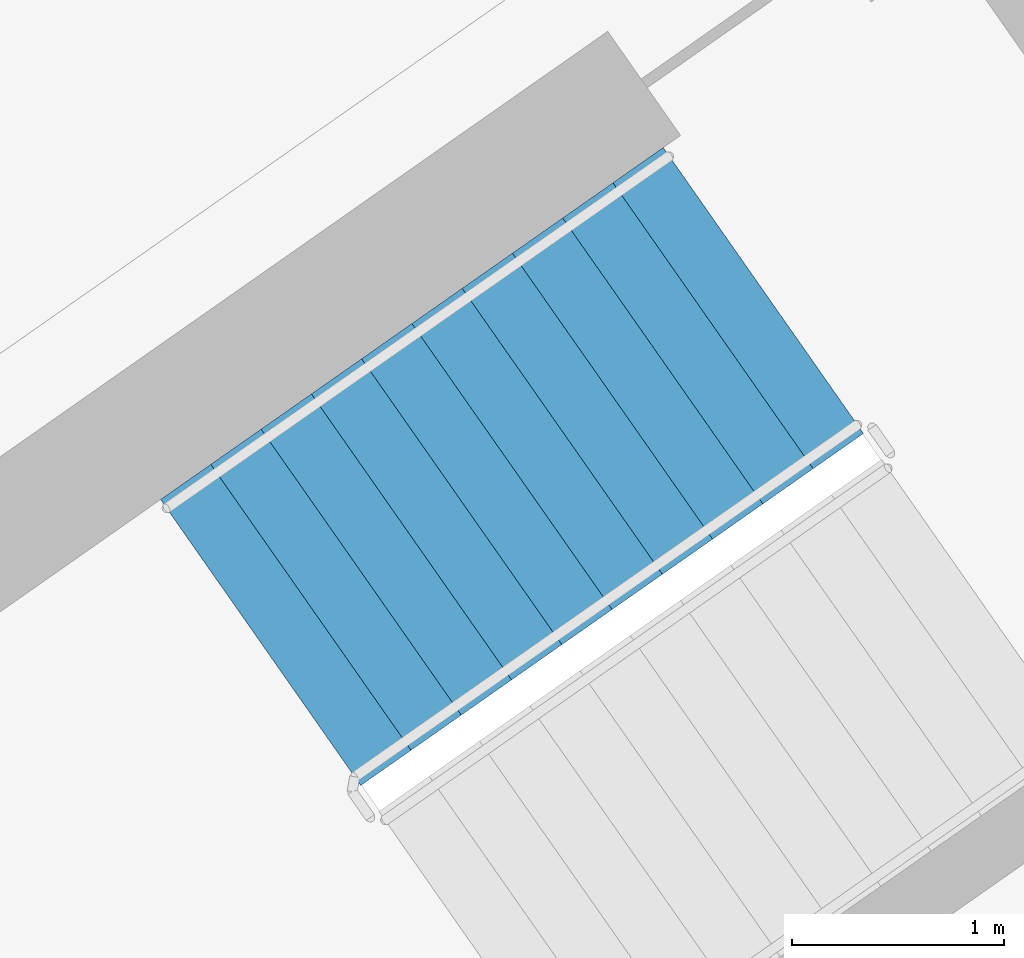
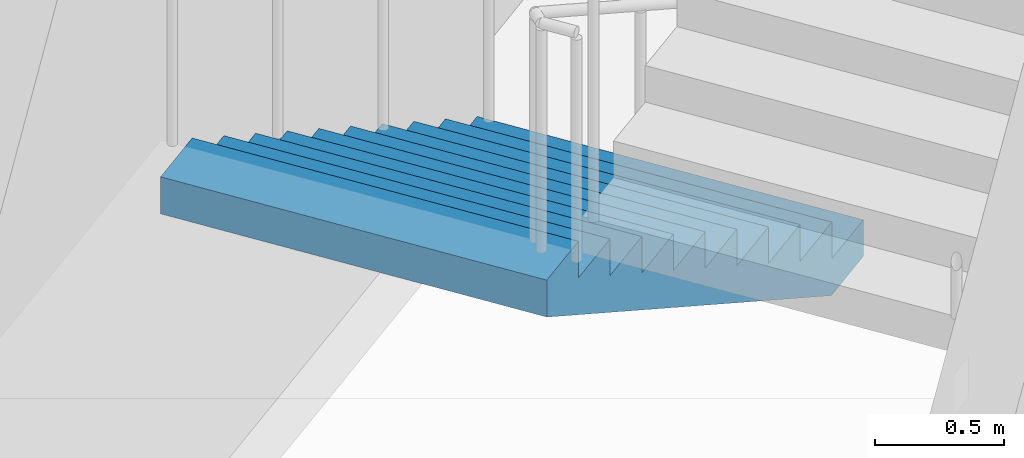
# One storey, part 16 of 26: 1 stair flight, 1 element without a shape of its own.
"""IFC4 building model written with IfcOpenShell, lengths in metres."""

from ifc_helpers import new_model, si_unit, direction, frame, origin, place, context, subcontext, project, spatial, faceted_brep, material, type_object, element, aggregate, save


model = new_model("IFC4")

# Units and contexts
model_context = context("Model", 3, precision=1e-05, world=origin(), true_north=direction((0.0, 1.0)))
body_context = subcontext(model_context, "Body", "Model", "MODEL_VIEW")
ifc_project = project(units=[si_unit("LENGTHUNIT", "METRE"), si_unit("AREAUNIT", "SQUARE_METRE"), si_unit("VOLUMEUNIT", "CUBIC_METRE"), si_unit("PLANEANGLEUNIT", "RADIAN"), si_unit("MASSUNIT", "GRAM", prefix="KILO")], contexts=[model_context])

# Site, building, storey
site_placement = place(None, origin())
site = spatial("IfcSite", under=ifc_project, at=site_placement, CompositionType="ELEMENT")
building_placement = place(site_placement, origin())
building = spatial("IfcBuilding", under=site, at=building_placement, Name="Qamariyya Broadcast Tower", CompositionType="ELEMENT")
storey_placement = place(building_placement, frame((0.0, 0.0, 156.89990234375)))
storey = spatial("IfcBuildingStorey", under=building, at=storey_placement, Name="L36", CompositionType="ELEMENT", Elevation=156.89990234375)

# Stair, stair flight
ifc_material = material(Name="Concrete C50/60", Category="concrete")
stair_type = type_object("IfcStairType", Name="Exit stair 22 risers of 173 mm", PredefinedType="HALF_TURN_STAIR", material=ifc_material)
stair_placement = place(storey_placement, origin())
stair = element("IfcStair", 1, at=stair_placement, inside=storey, type_object=stair_type, Name="L36 Stair E2", PredefinedType="HALF_TURN_STAIR")
stair_flight_type = type_object("IfcStairFlightType", Name="Exit stair flight 11 risers of 173 mm", PredefinedType="STRAIGHT", material=ifc_material)
stair_flight_placement = place(storey_placement, frame((40.558837890625, -47.685302734375, 0.0), z_axis=(0.0, 0.0, 1.0), x_axis=(-0.819152044289, -0.573576436351, 0.0)))
stair_flight = element("IfcStairFlight", 2, at=stair_flight_placement, type_object=stair_flight_type, Name="ST-E2 flight 1", NumberOfRisers=11, NumberOfTreads=10, PredefinedType="STRAIGHT", RiserHeight=0.172727273, TreadLength=0.29, context=body_context, shape_type="Brep", body=[
    faceted_brep([(0.0, 0.824951171875, 0.0), (0.0, 0.824951171875, 0.172607421875), (0.2900390625, 0.824951171875, 0.172607421875), (0.2900390625, 0.824951171875, 0.345458984375), (0.580078125, 0.824951171875, 0.345458984375), (0.580078125, 0.824951171875, 0.51806640625), (0.8701171875, 0.824951171875, 0.51806640625), (0.8701171875, 0.824951171875, 0.69091796875), (1.159912109375, 0.824951171875, 0.69091796875), (1.159912109375, 0.824951171875, 0.863525390625), (1.449951171875, 0.824951171875, 0.863525390625), (1.449951171875, 0.824951171875, 1.036376953125), (1.739990234375, 0.824951171875, 1.036376953125), (1.739990234375, 0.824951171875, 1.208984375), (2.030029296875, 0.824951171875, 1.208984375), (2.030029296875, 0.824951171875, 1.3818359375), (2.320068359375, 0.824951171875, 1.3818359375), (2.320068359375, 0.824951171875, 1.554443359375), (2.610107421875, 0.824951171875, 1.554443359375), (2.610107421875, 0.824951171875, 1.727294921875), (2.89990234375, 0.824951171875, 1.727294921875), (2.89990234375, 0.824951171875, 1.552734375), (0.29296875, 0.824951171875, 0.0), (0.29296875, -0.824951171875, 0.0), (2.89990234375, -0.824951171875, 1.552734375), (2.89990234375, -0.824951171875, 1.727294921875), (2.610107421875, -0.824951171875, 1.727294921875), (2.610107421875, -0.824951171875, 1.554443359375), (2.320068359375, -0.824951171875, 1.554443359375), (2.320068359375, -0.824951171875, 1.3818359375), (2.030029296875, -0.824951171875, 1.3818359375), (2.030029296875, -0.824951171875, 1.208984375), (1.739990234375, -0.824951171875, 1.208984375), (1.739990234375, -0.824951171875, 1.036376953125), (1.449951171875, -0.824951171875, 1.036376953125), (1.449951171875, -0.824951171875, 0.863525390625), (1.159912109375, -0.824951171875, 0.863525390625), (1.159912109375, -0.824951171875, 0.69091796875), (0.8701171875, -0.824951171875, 0.69091796875), (0.8701171875, -0.824951171875, 0.51806640625), (0.580078125, -0.824951171875, 0.51806640625), (0.580078125, -0.824951171875, 0.345458984375), (0.2900390625, -0.824951171875, 0.345458984375), (0.2900390625, -0.824951171875, 0.172607421875), (0.0, -0.824951171875, 0.172607421875), (0.0, -0.824951171875, 0.0), (0.0, 0.10009765625, 0.0), (0.0, 0.086669921875, 0.0), (0.0, 0.0732421875, 0.0), (0.0, 0.06005859375, 0.0), (0.0, 0.046630859375, 0.0), (0.0, 0.033447265625, 0.0), (0.0, 0.02001953125, 0.0), (0.0, 0.006591796875, 0.0), (0.0, -0.006591796875, 0.0), (0.0, -0.02001953125, 0.0), (0.0, -0.033447265625, 0.0), (0.0, -0.046630859375, 0.0), (0.0, -0.06005859375, 0.0), (0.0, -0.0732421875, 0.0), (0.0, -0.086669921875, 0.0), (0.0, -0.10009765625, 0.0), (0.0, -0.10009765625, 0.172607421875), (0.0, -0.086669921875, 0.172607421875), (0.0, -0.0732421875, 0.172607421875), (0.0, -0.06005859375, 0.172607421875), (0.0, -0.046630859375, 0.172607421875), (0.0, -0.033447265625, 0.172607421875), (0.0, -0.02001953125, 0.172607421875), (0.0, -0.006591796875, 0.172607421875), (0.0, 0.006591796875, 0.172607421875), (0.0, 0.02001953125, 0.172607421875), (0.0, 0.033447265625, 0.172607421875), (0.0, 0.046630859375, 0.172607421875), (0.0, 0.06005859375, 0.172607421875), (0.0, 0.0732421875, 0.172607421875), (0.0, 0.086669921875, 0.172607421875), (0.0, 0.10009765625, 0.172607421875), (0.2900390625, -0.10009765625, 0.172607421875), (0.2900390625, -0.086669921875, 0.172607421875), (0.2900390625, -0.0732421875, 0.172607421875), (0.2900390625, -0.06005859375, 0.172607421875), (0.2900390625, -0.046630859375, 0.172607421875), (0.2900390625, -0.033447265625, 0.172607421875), (0.2900390625, -0.02001953125, 0.172607421875), (0.2900390625, -0.006591796875, 0.172607421875), (0.2900390625, 0.006591796875, 0.172607421875), (0.2900390625, 0.02001953125, 0.172607421875), (0.2900390625, 0.033447265625, 0.172607421875), (0.2900390625, 0.046630859375, 0.172607421875), (0.2900390625, 0.06005859375, 0.172607421875), (0.2900390625, 0.0732421875, 0.172607421875), (0.2900390625, 0.086669921875, 0.172607421875), (0.2900390625, 0.10009765625, 0.172607421875), (0.2900390625, -0.10009765625, 0.345458984375), (0.2900390625, -0.086669921875, 0.345458984375), (0.2900390625, -0.0732421875, 0.345458984375), (0.2900390625, -0.06005859375, 0.345458984375), (0.2900390625, -0.046630859375, 0.345458984375), (0.2900390625, -0.033447265625, 0.345458984375), (0.2900390625, -0.02001953125, 0.345458984375), (0.2900390625, -0.006591796875, 0.345458984375), (0.2900390625, 0.006591796875, 0.345458984375), (0.2900390625, 0.02001953125, 0.345458984375), (0.2900390625, 0.033447265625, 0.345458984375), (0.2900390625, 0.046630859375, 0.345458984375), (0.2900390625, 0.06005859375, 0.345458984375), (0.2900390625, 0.0732421875, 0.345458984375), (0.2900390625, 0.086669921875, 0.345458984375), (0.2900390625, 0.10009765625, 0.345458984375), (0.580078125, -0.10009765625, 0.345458984375), (0.580078125, -0.086669921875, 0.345458984375), (0.580078125, -0.0732421875, 0.345458984375), (0.580078125, -0.06005859375, 0.345458984375), (0.580078125, -0.046630859375, 0.345458984375), (0.580078125, -0.033447265625, 0.345458984375), (0.580078125, -0.02001953125, 0.345458984375), (0.580078125, -0.006591796875, 0.345458984375), (0.580078125, 0.006591796875, 0.345458984375), (0.580078125, 0.02001953125, 0.345458984375), (0.580078125, 0.033447265625, 0.345458984375), (0.580078125, 0.046630859375, 0.345458984375), (0.580078125, 0.06005859375, 0.345458984375), (0.580078125, 0.0732421875, 0.345458984375), (0.580078125, 0.086669921875, 0.345458984375), (0.580078125, 0.10009765625, 0.345458984375), (0.580078125, -0.10009765625, 0.51806640625), (0.580078125, -0.086669921875, 0.51806640625), (0.580078125, -0.0732421875, 0.51806640625), (0.580078125, -0.06005859375, 0.51806640625), (0.580078125, -0.046630859375, 0.51806640625), (0.580078125, -0.033447265625, 0.51806640625), (0.580078125, -0.02001953125, 0.51806640625), (0.580078125, -0.006591796875, 0.51806640625), (0.580078125, 0.006591796875, 0.51806640625), (0.580078125, 0.02001953125, 0.51806640625), (0.580078125, 0.033447265625, 0.51806640625), (0.580078125, 0.046630859375, 0.51806640625), (0.580078125, 0.06005859375, 0.51806640625), (0.580078125, 0.0732421875, 0.51806640625), (0.580078125, 0.086669921875, 0.51806640625), (0.580078125, 0.10009765625, 0.51806640625), (0.8701171875, -0.10009765625, 0.51806640625), (0.8701171875, -0.086669921875, 0.51806640625), (0.8701171875, -0.0732421875, 0.51806640625), (0.8701171875, -0.06005859375, 0.51806640625), (0.8701171875, -0.046630859375, 0.51806640625), (0.8701171875, -0.033447265625, 0.51806640625), (0.8701171875, -0.02001953125, 0.51806640625), (0.8701171875, -0.006591796875, 0.51806640625), (0.8701171875, 0.006591796875, 0.51806640625), (0.8701171875, 0.02001953125, 0.51806640625), (0.8701171875, 0.033447265625, 0.51806640625), (0.8701171875, 0.046630859375, 0.51806640625), (0.8701171875, 0.06005859375, 0.51806640625), (0.8701171875, 0.0732421875, 0.51806640625), (0.8701171875, 0.086669921875, 0.51806640625), (0.8701171875, 0.10009765625, 0.51806640625), (0.8701171875, -0.10009765625, 0.69091796875), (0.8701171875, -0.086669921875, 0.69091796875), (0.8701171875, -0.0732421875, 0.69091796875), (0.8701171875, -0.06005859375, 0.69091796875), (0.8701171875, -0.046630859375, 0.69091796875), (0.8701171875, -0.033447265625, 0.69091796875), (0.8701171875, -0.02001953125, 0.69091796875), (0.8701171875, -0.006591796875, 0.69091796875), (0.8701171875, 0.006591796875, 0.69091796875), (0.8701171875, 0.02001953125, 0.69091796875), (0.8701171875, 0.033447265625, 0.69091796875), (0.8701171875, 0.046630859375, 0.69091796875), (0.8701171875, 0.06005859375, 0.69091796875), (0.8701171875, 0.0732421875, 0.69091796875), (0.8701171875, 0.086669921875, 0.69091796875), (0.8701171875, 0.10009765625, 0.69091796875), (1.159912109375, -0.10009765625, 0.69091796875), (1.159912109375, -0.086669921875, 0.69091796875), (1.159912109375, -0.0732421875, 0.69091796875), (1.159912109375, -0.06005859375, 0.69091796875), (1.159912109375, -0.046630859375, 0.69091796875), (1.159912109375, -0.033447265625, 0.69091796875), (1.159912109375, -0.02001953125, 0.69091796875), (1.159912109375, -0.006591796875, 0.69091796875), (1.159912109375, 0.006591796875, 0.69091796875), (1.159912109375, 0.02001953125, 0.69091796875), (1.159912109375, 0.033447265625, 0.69091796875), (1.159912109375, 0.046630859375, 0.69091796875), (1.159912109375, 0.06005859375, 0.69091796875), (1.159912109375, 0.0732421875, 0.69091796875), (1.159912109375, 0.086669921875, 0.69091796875), (1.159912109375, 0.10009765625, 0.69091796875), (1.159912109375, -0.10009765625, 0.863525390625), (1.159912109375, -0.086669921875, 0.863525390625), (1.159912109375, -0.0732421875, 0.863525390625), (1.159912109375, -0.06005859375, 0.863525390625), (1.159912109375, -0.046630859375, 0.863525390625), (1.159912109375, -0.033447265625, 0.863525390625), (1.159912109375, -0.02001953125, 0.863525390625), (1.159912109375, -0.006591796875, 0.863525390625), (1.159912109375, 0.006591796875, 0.863525390625), (1.159912109375, 0.02001953125, 0.863525390625), (1.159912109375, 0.033447265625, 0.863525390625), (1.159912109375, 0.046630859375, 0.863525390625), (1.159912109375, 0.06005859375, 0.863525390625), (1.159912109375, 0.0732421875, 0.863525390625), (1.159912109375, 0.086669921875, 0.863525390625), (1.159912109375, 0.10009765625, 0.863525390625), (1.449951171875, -0.10009765625, 0.863525390625), (1.449951171875, -0.086669921875, 0.863525390625), (1.449951171875, -0.0732421875, 0.863525390625), (1.449951171875, -0.06005859375, 0.863525390625), (1.449951171875, -0.046630859375, 0.863525390625), (1.449951171875, -0.033447265625, 0.863525390625), (1.449951171875, -0.02001953125, 0.863525390625), (1.449951171875, -0.006591796875, 0.863525390625), (1.449951171875, 0.006591796875, 0.863525390625), (1.449951171875, 0.02001953125, 0.863525390625), (1.449951171875, 0.033447265625, 0.863525390625), (1.449951171875, 0.046630859375, 0.863525390625), (1.449951171875, 0.06005859375, 0.863525390625), (1.449951171875, 0.0732421875, 0.863525390625), (1.449951171875, 0.086669921875, 0.863525390625), (1.449951171875, 0.10009765625, 0.863525390625), (1.449951171875, -0.10009765625, 1.036376953125), (1.449951171875, -0.086669921875, 1.036376953125), (1.449951171875, -0.0732421875, 1.036376953125), (1.449951171875, -0.06005859375, 1.036376953125), (1.449951171875, -0.046630859375, 1.036376953125), (1.449951171875, -0.033447265625, 1.036376953125), (1.449951171875, -0.02001953125, 1.036376953125), (1.449951171875, -0.006591796875, 1.036376953125), (1.449951171875, 0.006591796875, 1.036376953125), (1.449951171875, 0.02001953125, 1.036376953125), (1.449951171875, 0.033447265625, 1.036376953125), (1.449951171875, 0.046630859375, 1.036376953125), (1.449951171875, 0.06005859375, 1.036376953125), (1.449951171875, 0.0732421875, 1.036376953125), (1.449951171875, 0.086669921875, 1.036376953125), (1.449951171875, 0.10009765625, 1.036376953125), (1.739990234375, -0.10009765625, 1.036376953125), (1.739990234375, -0.086669921875, 1.036376953125), (1.739990234375, -0.0732421875, 1.036376953125), (1.739990234375, -0.06005859375, 1.036376953125), (1.739990234375, -0.046630859375, 1.036376953125), (1.739990234375, -0.033447265625, 1.036376953125), (1.739990234375, -0.02001953125, 1.036376953125), (1.739990234375, -0.006591796875, 1.036376953125), (1.739990234375, 0.006591796875, 1.036376953125), (1.739990234375, 0.02001953125, 1.036376953125), (1.739990234375, 0.033447265625, 1.036376953125), (1.739990234375, 0.046630859375, 1.036376953125), (1.739990234375, 0.06005859375, 1.036376953125), (1.739990234375, 0.0732421875, 1.036376953125), (1.739990234375, 0.086669921875, 1.036376953125), (1.739990234375, 0.10009765625, 1.036376953125), (1.739990234375, -0.10009765625, 1.208984375), (1.739990234375, -0.086669921875, 1.208984375), (1.739990234375, -0.0732421875, 1.208984375), (1.739990234375, -0.06005859375, 1.208984375), (1.739990234375, -0.046630859375, 1.208984375), (1.739990234375, -0.033447265625, 1.208984375), (1.739990234375, -0.02001953125, 1.208984375), (1.739990234375, -0.006591796875, 1.208984375), (1.739990234375, 0.006591796875, 1.208984375), (1.739990234375, 0.02001953125, 1.208984375), (1.739990234375, 0.033447265625, 1.208984375), (1.739990234375, 0.046630859375, 1.208984375), (1.739990234375, 0.06005859375, 1.208984375), (1.739990234375, 0.0732421875, 1.208984375), (1.739990234375, 0.086669921875, 1.208984375), (1.739990234375, 0.10009765625, 1.208984375), (2.030029296875, -0.10009765625, 1.208984375), (2.030029296875, -0.086669921875, 1.208984375), (2.030029296875, -0.0732421875, 1.208984375), (2.030029296875, -0.06005859375, 1.208984375), (2.030029296875, -0.046630859375, 1.208984375), (2.030029296875, -0.033447265625, 1.208984375), (2.030029296875, -0.02001953125, 1.208984375), (2.030029296875, -0.006591796875, 1.208984375), (2.030029296875, 0.006591796875, 1.208984375), (2.030029296875, 0.02001953125, 1.208984375), (2.030029296875, 0.033447265625, 1.208984375), (2.030029296875, 0.046630859375, 1.208984375), (2.030029296875, 0.06005859375, 1.208984375), (2.030029296875, 0.0732421875, 1.208984375), (2.030029296875, 0.086669921875, 1.208984375), (2.030029296875, 0.10009765625, 1.208984375), (2.030029296875, -0.10009765625, 1.3818359375), (2.030029296875, -0.086669921875, 1.3818359375), (2.030029296875, -0.0732421875, 1.3818359375), (2.030029296875, -0.06005859375, 1.3818359375), (2.030029296875, -0.046630859375, 1.3818359375), (2.030029296875, -0.033447265625, 1.3818359375), (2.030029296875, -0.02001953125, 1.3818359375), (2.030029296875, -0.006591796875, 1.3818359375), (2.030029296875, 0.006591796875, 1.3818359375), (2.030029296875, 0.02001953125, 1.3818359375), (2.030029296875, 0.033447265625, 1.3818359375), (2.030029296875, 0.046630859375, 1.3818359375), (2.030029296875, 0.06005859375, 1.3818359375), (2.030029296875, 0.0732421875, 1.3818359375), (2.030029296875, 0.086669921875, 1.3818359375), (2.030029296875, 0.10009765625, 1.3818359375), (2.320068359375, -0.10009765625, 1.3818359375), (2.320068359375, -0.086669921875, 1.3818359375), (2.320068359375, -0.0732421875, 1.3818359375), (2.320068359375, -0.06005859375, 1.3818359375), (2.320068359375, -0.046630859375, 1.3818359375), (2.320068359375, -0.033447265625, 1.3818359375), (2.320068359375, -0.02001953125, 1.3818359375), (2.320068359375, -0.006591796875, 1.3818359375), (2.320068359375, 0.006591796875, 1.3818359375), (2.320068359375, 0.02001953125, 1.3818359375), (2.320068359375, 0.033447265625, 1.3818359375), (2.320068359375, 0.046630859375, 1.3818359375), (2.320068359375, 0.06005859375, 1.3818359375), (2.320068359375, 0.0732421875, 1.3818359375), (2.320068359375, 0.086669921875, 1.3818359375), (2.320068359375, 0.10009765625, 1.3818359375), (2.320068359375, -0.10009765625, 1.554443359375), (2.320068359375, -0.086669921875, 1.554443359375), (2.320068359375, -0.0732421875, 1.554443359375), (2.320068359375, -0.06005859375, 1.554443359375), (2.320068359375, -0.046630859375, 1.554443359375), (2.320068359375, -0.033447265625, 1.554443359375), (2.320068359375, -0.02001953125, 1.554443359375), (2.320068359375, -0.006591796875, 1.554443359375), (2.320068359375, 0.006591796875, 1.554443359375), (2.320068359375, 0.02001953125, 1.554443359375), (2.320068359375, 0.033447265625, 1.554443359375), (2.320068359375, 0.046630859375, 1.554443359375), (2.320068359375, 0.06005859375, 1.554443359375), (2.320068359375, 0.0732421875, 1.554443359375), (2.320068359375, 0.086669921875, 1.554443359375), (2.320068359375, 0.10009765625, 1.554443359375), (2.610107421875, -0.10009765625, 1.554443359375), (2.610107421875, -0.086669921875, 1.554443359375), (2.610107421875, -0.0732421875, 1.554443359375), (2.610107421875, -0.06005859375, 1.554443359375), (2.610107421875, -0.046630859375, 1.554443359375), (2.610107421875, -0.033447265625, 1.554443359375), (2.610107421875, -0.02001953125, 1.554443359375), (2.610107421875, -0.006591796875, 1.554443359375), (2.610107421875, 0.006591796875, 1.554443359375), (2.610107421875, 0.02001953125, 1.554443359375), (2.610107421875, 0.033447265625, 1.554443359375), (2.610107421875, 0.046630859375, 1.554443359375), (2.610107421875, 0.06005859375, 1.554443359375), (2.610107421875, 0.0732421875, 1.554443359375), (2.610107421875, 0.086669921875, 1.554443359375), (2.610107421875, 0.10009765625, 1.554443359375), (2.610107421875, -0.10009765625, 1.727294921875), (2.610107421875, -0.086669921875, 1.727294921875), (2.610107421875, -0.0732421875, 1.727294921875), (2.610107421875, -0.06005859375, 1.727294921875), (2.610107421875, -0.046630859375, 1.727294921875), (2.610107421875, -0.033447265625, 1.727294921875), (2.610107421875, -0.02001953125, 1.727294921875), (2.610107421875, -0.006591796875, 1.727294921875), (2.610107421875, 0.006591796875, 1.727294921875), (2.610107421875, 0.02001953125, 1.727294921875), (2.610107421875, 0.033447265625, 1.727294921875), (2.610107421875, 0.046630859375, 1.727294921875), (2.610107421875, 0.06005859375, 1.727294921875), (2.610107421875, 0.0732421875, 1.727294921875), (2.610107421875, 0.086669921875, 1.727294921875), (2.610107421875, 0.10009765625, 1.727294921875), (2.89990234375, -0.10009765625, 1.727294921875), (2.89990234375, -0.086669921875, 1.727294921875), (2.89990234375, -0.0732421875, 1.727294921875), (2.89990234375, -0.06005859375, 1.727294921875), (2.89990234375, -0.046630859375, 1.727294921875), (2.89990234375, -0.033447265625, 1.727294921875), (2.89990234375, -0.02001953125, 1.727294921875), (2.89990234375, -0.006591796875, 1.727294921875), (2.89990234375, 0.006591796875, 1.727294921875), (2.89990234375, 0.02001953125, 1.727294921875), (2.89990234375, 0.033447265625, 1.727294921875), (2.89990234375, 0.046630859375, 1.727294921875), (2.89990234375, 0.06005859375, 1.727294921875), (2.89990234375, 0.0732421875, 1.727294921875), (2.89990234375, 0.086669921875, 1.727294921875), (2.89990234375, 0.10009765625, 1.727294921875), (2.89990234375, -0.10009765625, 1.552734375), (2.89990234375, -0.086669921875, 1.552734375), (2.89990234375, -0.0732421875, 1.552734375), (2.89990234375, -0.06005859375, 1.552734375), (2.89990234375, -0.046630859375, 1.552734375), (2.89990234375, -0.033447265625, 1.552734375), (2.89990234375, -0.02001953125, 1.552734375), (2.89990234375, -0.006591796875, 1.552734375), (2.89990234375, 0.006591796875, 1.552734375), (2.89990234375, 0.02001953125, 1.552734375), (2.89990234375, 0.033447265625, 1.552734375), (2.89990234375, 0.046630859375, 1.552734375), (2.89990234375, 0.06005859375, 1.552734375), (2.89990234375, 0.0732421875, 1.552734375), (2.89990234375, 0.086669921875, 1.552734375), (2.89990234375, 0.10009765625, 1.552734375), (0.29296875, -0.10009765625, 0.0), (0.29296875, -0.086669921875, 0.0), (0.29296875, -0.0732421875, 0.0), (0.29296875, -0.06005859375, 0.0), (0.29296875, -0.046630859375, 0.0), (0.29296875, -0.033447265625, 0.0), (0.29296875, -0.02001953125, 0.0), (0.29296875, -0.006591796875, 0.0), (0.29296875, 0.006591796875, 0.0), (0.29296875, 0.02001953125, 0.0), (0.29296875, 0.033447265625, 0.0), (0.29296875, 0.046630859375, 0.0), (0.29296875, 0.06005859375, 0.0), (0.29296875, 0.0732421875, 0.0), (0.29296875, 0.086669921875, 0.0), (0.29296875, 0.10009765625, 0.0)], [[[0, 1, 2, 3, 4, 5, 6, 7, 8, 9, 10, 11, 12, 13, 14, 15, 16, 17, 18, 19, 20, 21, 22]], [[23, 24, 25, 26, 27, 28, 29, 30, 31, 32, 33, 34, 35, 36, 37, 38, 39, 40, 41, 42, 43, 44, 45]], [[0, 46, 47, 48, 49, 50, 51, 52, 53, 54, 55, 56, 57, 58, 59, 60, 61, 45, 44, 62, 63, 64, 65, 66, 67, 68, 69, 70, 71, 72, 73, 74, 75, 76, 77, 1]], [[1, 77, 76, 75, 74, 73, 72, 71, 70, 69, 68, 67, 66, 65, 64, 63, 62, 44, 43, 78, 79, 80, 81, 82, 83, 84, 85, 86, 87, 88, 89, 90, 91, 92, 93, 2]], [[2, 93, 92, 91, 90, 89, 88, 87, 86, 85, 84, 83, 82, 81, 80, 79, 78, 43, 42, 94, 95, 96, 97, 98, 99, 100, 101, 102, 103, 104, 105, 106, 107, 108, 109, 3]], [[3, 109, 108, 107, 106, 105, 104, 103, 102, 101, 100, 99, 98, 97, 96, 95, 94, 42, 41, 110, 111, 112, 113, 114, 115, 116, 117, 118, 119, 120, 121, 122, 123, 124, 125, 4]], [[4, 125, 124, 123, 122, 121, 120, 119, 118, 117, 116, 115, 114, 113, 112, 111, 110, 41, 40, 126, 127, 128, 129, 130, 131, 132, 133, 134, 135, 136, 137, 138, 139, 140, 141, 5]], [[5, 141, 140, 139, 138, 137, 136, 135, 134, 133, 132, 131, 130, 129, 128, 127, 126, 40, 39, 142, 143, 144, 145, 146, 147, 148, 149, 150, 151, 152, 153, 154, 155, 156, 157, 6]], [[6, 157, 156, 155, 154, 153, 152, 151, 150, 149, 148, 147, 146, 145, 144, 143, 142, 39, 38, 158, 159, 160, 161, 162, 163, 164, 165, 166, 167, 168, 169, 170, 171, 172, 173, 7]], [[7, 173, 172, 171, 170, 169, 168, 167, 166, 165, 164, 163, 162, 161, 160, 159, 158, 38, 37, 174, 175, 176, 177, 178, 179, 180, 181, 182, 183, 184, 185, 186, 187, 188, 189, 8]], [[8, 189, 188, 187, 186, 185, 184, 183, 182, 181, 180, 179, 178, 177, 176, 175, 174, 37, 36, 190, 191, 192, 193, 194, 195, 196, 197, 198, 199, 200, 201, 202, 203, 204, 205, 9]], [[9, 205, 204, 203, 202, 201, 200, 199, 198, 197, 196, 195, 194, 193, 192, 191, 190, 36, 35, 206, 207, 208, 209, 210, 211, 212, 213, 214, 215, 216, 217, 218, 219, 220, 221, 10]], [[10, 221, 220, 219, 218, 217, 216, 215, 214, 213, 212, 211, 210, 209, 208, 207, 206, 35, 34, 222, 223, 224, 225, 226, 227, 228, 229, 230, 231, 232, 233, 234, 235, 236, 237, 11]], [[11, 237, 236, 235, 234, 233, 232, 231, 230, 229, 228, 227, 226, 225, 224, 223, 222, 34, 33, 238, 239, 240, 241, 242, 243, 244, 245, 246, 247, 248, 249, 250, 251, 252, 253, 12]], [[12, 253, 252, 251, 250, 249, 248, 247, 246, 245, 244, 243, 242, 241, 240, 239, 238, 33, 32, 254, 255, 256, 257, 258, 259, 260, 261, 262, 263, 264, 265, 266, 267, 268, 269, 13]], [[13, 269, 268, 267, 266, 265, 264, 263, 262, 261, 260, 259, 258, 257, 256, 255, 254, 32, 31, 270, 271, 272, 273, 274, 275, 276, 277, 278, 279, 280, 281, 282, 283, 284, 285, 14]], [[14, 285, 284, 283, 282, 281, 280, 279, 278, 277, 276, 275, 274, 273, 272, 271, 270, 31, 30, 286, 287, 288, 289, 290, 291, 292, 293, 294, 295, 296, 297, 298, 299, 300, 301, 15]], [[15, 301, 300, 299, 298, 297, 296, 295, 294, 293, 292, 291, 290, 289, 288, 287, 286, 30, 29, 302, 303, 304, 305, 306, 307, 308, 309, 310, 311, 312, 313, 314, 315, 316, 317, 16]], [[16, 317, 316, 315, 314, 313, 312, 311, 310, 309, 308, 307, 306, 305, 304, 303, 302, 29, 28, 318, 319, 320, 321, 322, 323, 324, 325, 326, 327, 328, 329, 330, 331, 332, 333, 17]], [[17, 333, 332, 331, 330, 329, 328, 327, 326, 325, 324, 323, 322, 321, 320, 319, 318, 28, 27, 334, 335, 336, 337, 338, 339, 340, 341, 342, 343, 344, 345, 346, 347, 348, 349, 18]], [[18, 349, 348, 347, 346, 345, 344, 343, 342, 341, 340, 339, 338, 337, 336, 335, 334, 27, 26, 350, 351, 352, 353, 354, 355, 356, 357, 358, 359, 360, 361, 362, 363, 364, 365, 19]], [[19, 365, 364, 363, 362, 361, 360, 359, 358, 357, 356, 355, 354, 353, 352, 351, 350, 26, 25, 366, 367, 368, 369, 370, 371, 372, 373, 374, 375, 376, 377, 378, 379, 380, 381, 20]], [[20, 381, 380, 379, 378, 377, 376, 375, 374, 373, 372, 371, 370, 369, 368, 367, 366, 25, 24, 382, 383, 384, 385, 386, 387, 388, 389, 390, 391, 392, 393, 394, 395, 396, 397, 21]], [[21, 397, 396, 395, 394, 393, 392, 391, 390, 389, 388, 387, 386, 385, 384, 383, 382, 24, 23, 398, 399, 400, 401, 402, 403, 404, 405, 406, 407, 408, 409, 410, 411, 412, 413, 22]], [[22, 413, 412, 411, 410, 409, 408, 407, 406, 405, 404, 403, 402, 401, 400, 399, 398, 23, 45, 61, 60, 59, 58, 57, 56, 55, 54, 53, 52, 51, 50, 49, 48, 47, 46, 0]]]),
])
aggregate(stair, [stair_flight])

save(model, "model.ifc")
